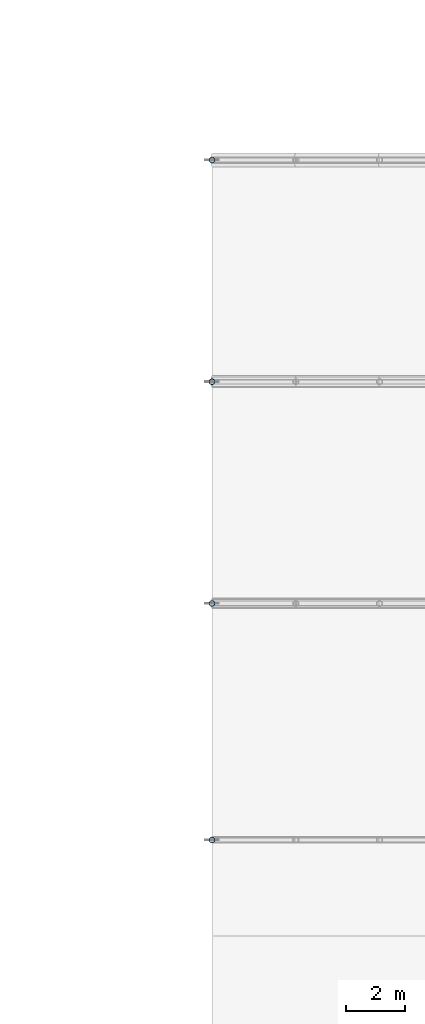
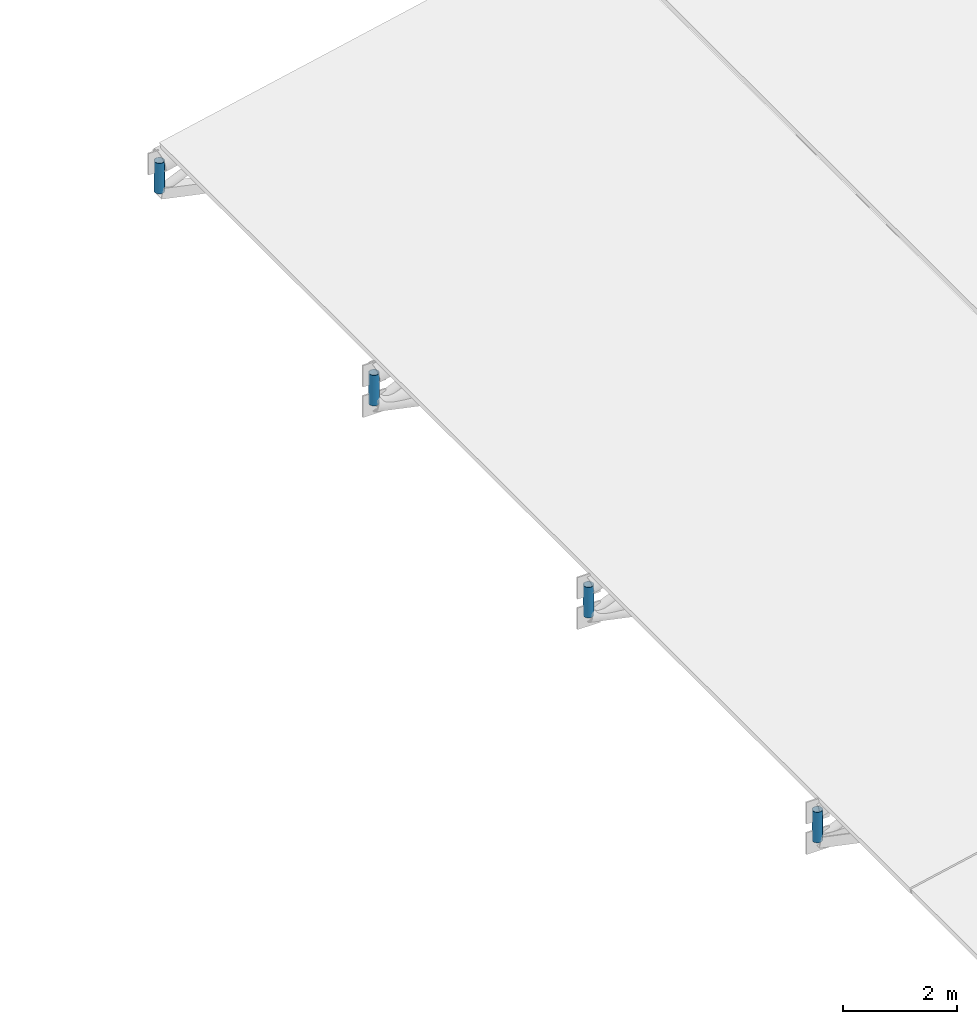
# One storey, part 22 of 28: 4 members.
"""IFC4 building model written with IfcOpenShell, lengths in metres."""

from ifc_helpers import new_model, si_unit, direction, frame, origin, origin_2d, place, context, subcontext, project, spatial, hollow_circle, extrude, material, material_profile, profile_set, type_object, element, save


model = new_model("IFC4")

# Units and contexts
model_context = context("Model", 3, precision=1e-05, world=origin(), true_north=direction((0.0, 1.0)))
body_context = subcontext(model_context, "Body", "Model", "MODEL_VIEW")
ifc_project = project(units=[si_unit("LENGTHUNIT", "METRE"), si_unit("AREAUNIT", "SQUARE_METRE"), si_unit("VOLUMEUNIT", "CUBIC_METRE"), si_unit("PLANEANGLEUNIT", "RADIAN"), si_unit("MASSUNIT", "GRAM", prefix="KILO"), si_unit("THERMODYNAMICTEMPERATUREUNIT", "KELVIN"), si_unit("POWERUNIT", "WATT")], contexts=[model_context])

# Site, building, storey
site_placement = place(None, origin())
site = spatial("IfcSite", under=ifc_project, at=site_placement, CompositionType="ELEMENT")
building_placement = place(site_placement, origin())
building = spatial("IfcBuilding", under=site, at=building_placement, Name="Tepalcoro Natatorium and Aquatics Centre", CompositionType="ELEMENT")
storey_placement = place(building_placement, frame((0.0, 0.0, 23.199951171875)))
storey = spatial("IfcBuildingStorey", under=building, at=storey_placement, Name="RF", CompositionType="ELEMENT", Elevation=23.199951171875)

# Members
ifc_material = material(Name="Terracotta Painted Hollow Steel ASTM A500 Grade C (Fy 345 MPa)", Category="masonry")
ifc_material_profile = material_profile(ifc_material, hollow_circle(Radius=0.096923828125, WallThickness=0.010009765625, at=origin_2d()), Name="CHS194X10")
ifc_profile_set = profile_set([ifc_material_profile], Name="Terracotta Painted Hollow Steel ASTM A500 Grade C (Fy 345 MPa)")
member_type = type_object("IfcMemberType", Name="MB_PS_CHS194x10", PredefinedType="POST", material=ifc_profile_set)
for number, where, z_axis, x_axis, name in (
    (1, (142.0, 36.0, -4.238037109375), (0.0, 0.0, 1.0), (1.0, 0.0, 0.0), "V2 Barrel-Arch Post 5"),
    (2, (142.0, 44.0, -4.291015625), (0.0, 0.0, 1.0), (1.0, 0.0, 0.0), "V2 Barrel-Arch Post 6"),
):
    element("IfcMember", number, at=place(storey_placement, frame(where, z_axis=z_axis, x_axis=x_axis)), inside=storey, type_object=member_type, Name=name, PredefinedType="POST", context=body_context, shape_type="SweptSolid", body=[
        extrude(hollow_circle(Radius=0.096923828125, WallThickness=0.010009765625, at=origin_2d()), origin(), (0.0, 0.0, 1.0), 0.650146484375),
    ])
member_1_placement = place(storey_placement, frame((142.0, 51.5, -4.31591796875), z_axis=(0.0, 0.0, 1.0), x_axis=(1.0, 0.0, 0.0)))
element("IfcMember", 3, at=member_1_placement, inside=storey, type_object=member_type, Name="V2 Barrel-Arch Post 7", PredefinedType="POST", context=body_context, shape_type="SweptSolid", body=[
    extrude(hollow_circle(Radius=0.096923828125, WallThickness=0.010009765625, at=origin_2d()), origin(), (0.0, 0.0, 1.0), 0.64990234375),
])
member_2_placement = place(storey_placement, frame((142.0, 59.0, -4.341552734375), z_axis=(0.0, 0.0, 1.0), x_axis=(1.0, 0.0, 0.0)))
element("IfcMember", 4, at=member_2_placement, inside=storey, type_object=member_type, Name="V2 Barrel-Arch Post 8", PredefinedType="POST", context=body_context, shape_type="SweptSolid", body=[
    extrude(hollow_circle(Radius=0.096923828125, WallThickness=0.010009765625, at=origin_2d()), origin(), (0.0, 0.0, 1.0), 0.650146484375),
])

save(model, "model.ifc")
